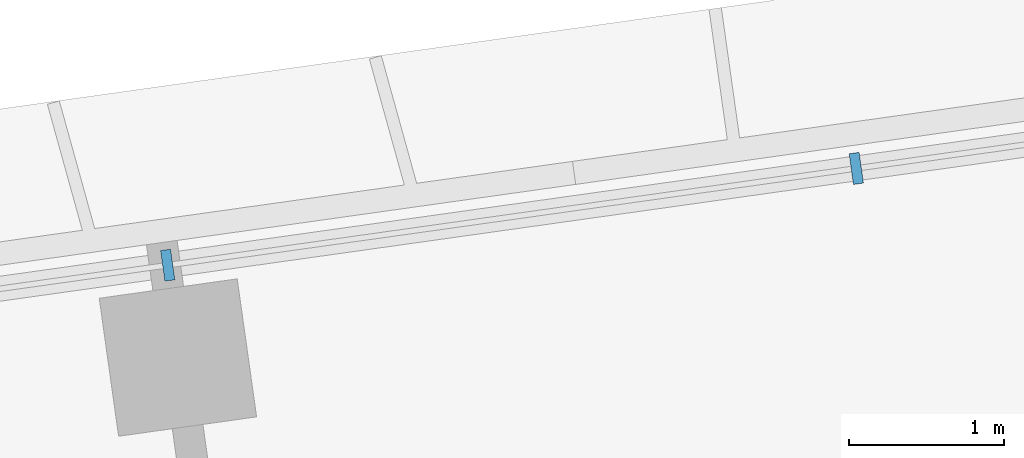
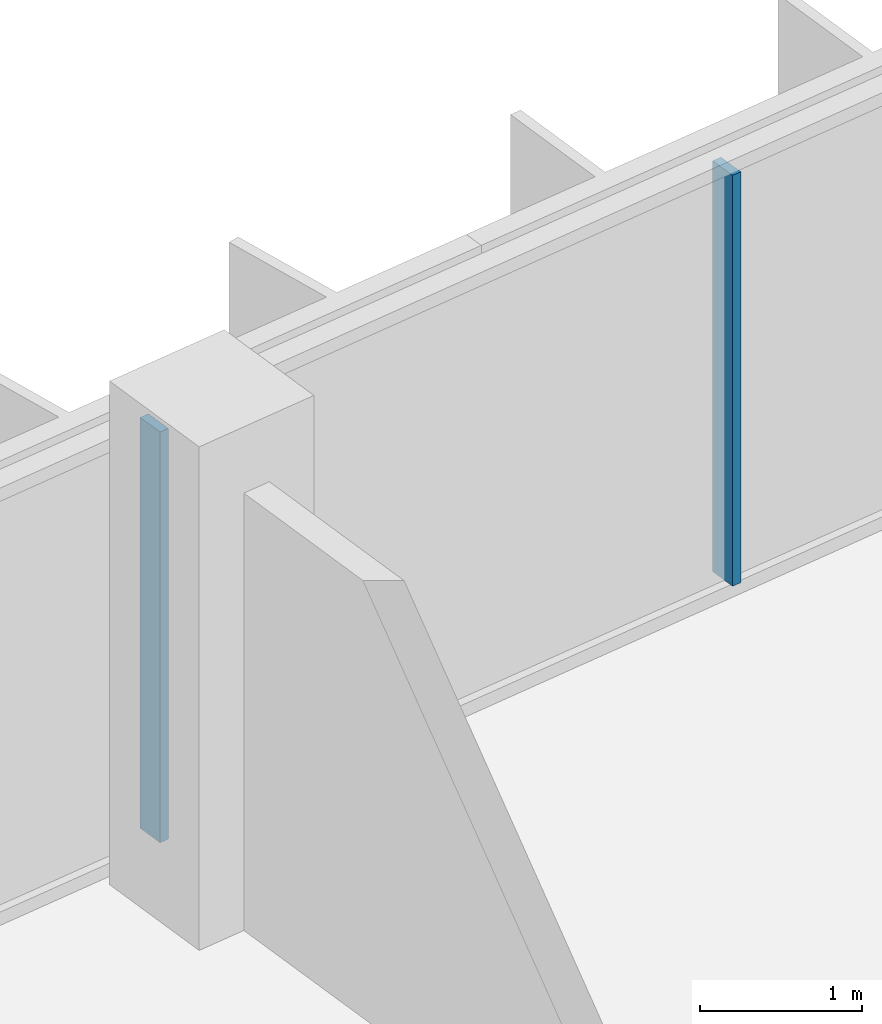
# One storey, part 10 of 34: 2 members, 1 element without a shape of its own.
"""IFC4 building model written with IfcOpenShell, lengths in metres."""

from ifc_helpers import new_model, si_unit, direction, frame, origin, origin_2d, place, context, subcontext, project, spatial, rectangle, extrude, material, material_profile, profile_set, type_object, element, aggregate, save


model = new_model("IFC4")

# Units and contexts
model_context = context("Model", 3, precision=1e-05, world=origin(), true_north=direction((0.0, 1.0)))
body_context = subcontext(model_context, "Body", "Model", "MODEL_VIEW")
ifc_project = project(units=[si_unit("LENGTHUNIT", "METRE"), si_unit("AREAUNIT", "SQUARE_METRE"), si_unit("VOLUMEUNIT", "CUBIC_METRE"), si_unit("PLANEANGLEUNIT", "RADIAN"), si_unit("MASSUNIT", "GRAM", prefix="KILO")], contexts=[model_context])

# Site, building, storey
site_placement = place(None, origin())
site = spatial("IfcSite", under=ifc_project, at=site_placement, CompositionType="ELEMENT")
building_placement = place(site_placement, origin())
building = spatial("IfcBuilding", under=site, at=building_placement, Name="Mirante Cascada Hotel Towers", CompositionType="ELEMENT")
storey_placement = place(building_placement, frame((0.0, 0.0, 148.1)))
storey = spatial("IfcBuildingStorey", under=building, at=storey_placement, Name="L34", CompositionType="ELEMENT", Elevation=148.1)

# Curtain wall, members
ifc_material_1 = material(Name="Aluminium mullion and transom frame with clear laminated glass", Category="aluminium")
curtain_wall_type = type_object("IfcCurtainWallType", Name="Ribbon curtain wall ECW1", PredefinedType="NOTDEFINED", material=ifc_material_1)
curtain_wall_placement = place(storey_placement, origin())
curtain_wall = element("IfcCurtainWall", 1, at=curtain_wall_placement, inside=storey, type_object=curtain_wall_type, Name="Front ribbon wall T2 L34", PredefinedType="NOTDEFINED")
ifc_material_2 = material(Name="Anodised aluminium extrusion", Category="aluminium")
ifc_material_profile = material_profile(ifc_material_2, rectangle(XDim=0.2, YDim=0.065, at=origin_2d()), Name="ECW1 MULLION 65x200")
ifc_profile_set = profile_set([ifc_material_profile], Name="Anodised aluminium extrusion")
member_type = type_object("IfcMemberType", Name="ECW1 mullion 65x200", PredefinedType="MULLION", material=ifc_profile_set)
member_1_placement = place(storey_placement, frame((58.5788, 21.0517, 0.1), z_axis=(0.0, 0.0, 1.0), x_axis=(0.1391731, -0.9902681, 0.0)))
member_1 = element("IfcMember", 2, at=member_1_placement, type_object=member_type, Name="ECW1 mullion 9", PredefinedType="MULLION", context=body_context, shape_type="SweptSolid", body=[
    extrude(rectangle(XDim=0.2, YDim=0.065, at=origin_2d()), origin(), (0.0, 0.0, 1.0), 3.1),
])
member_2_placement = place(storey_placement, frame((54.1314, 20.4267, 0.1), z_axis=(0.0, 0.0, 1.0), x_axis=(0.1391731, -0.9902681, 0.0)))
member_2 = element("IfcMember", 3, at=member_2_placement, type_object=member_type, Name="ECW1 mullion 10", PredefinedType="MULLION", context=body_context, shape_type="SweptSolid", body=[
    extrude(rectangle(XDim=0.2, YDim=0.065, at=origin_2d()), origin(), (0.0, 0.0, 1.0), 3.1),
])
aggregate(curtain_wall, [member_1, member_2])

save(model, "model.ifc")
